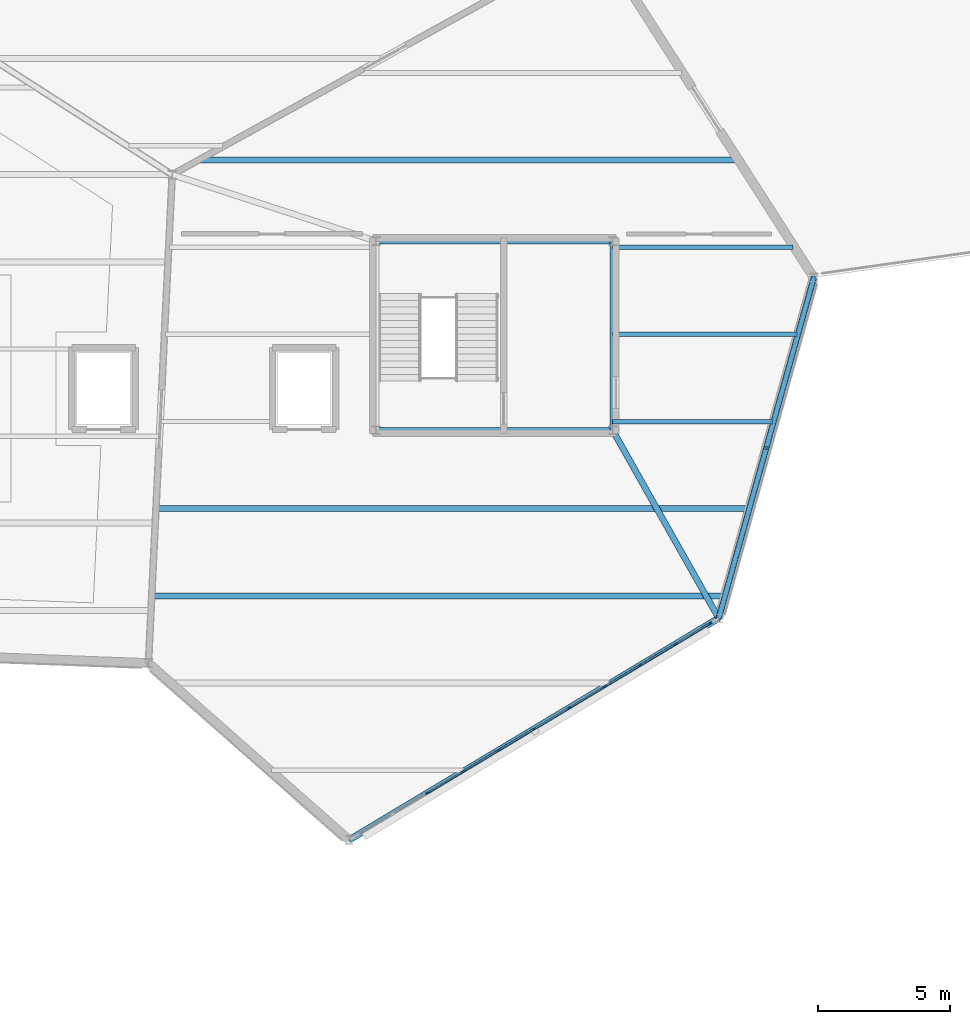
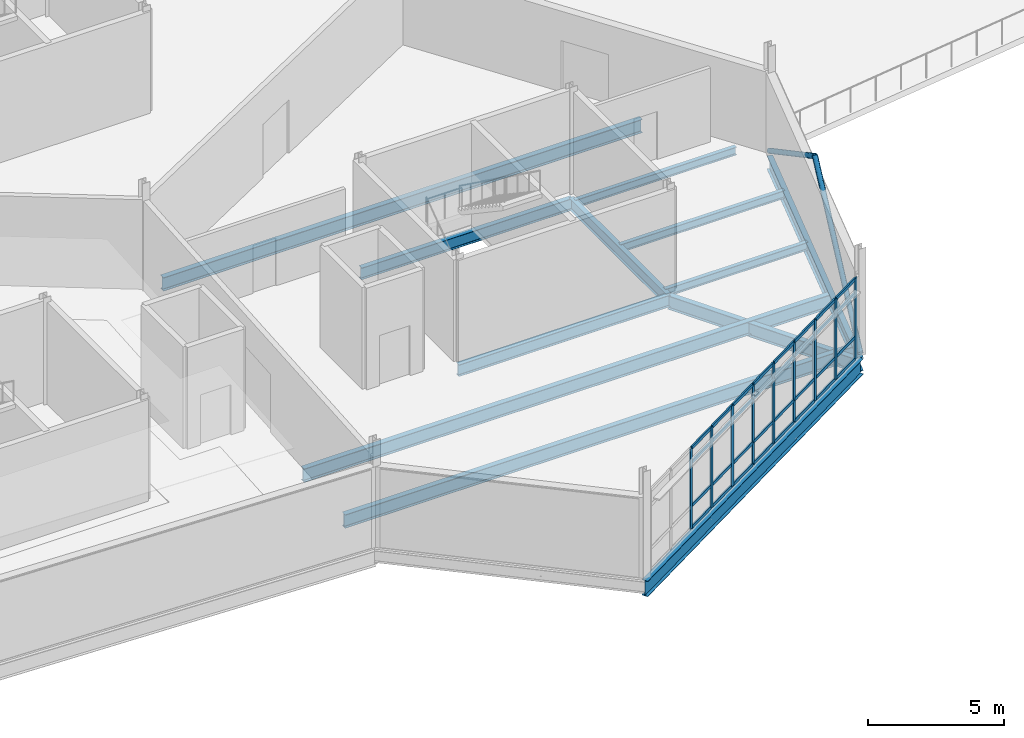
# One storey, part 42 of 76: 43 members, 12 beams, 1 element without a shape of its own.
"""IFC4 building model written with IfcOpenShell, lengths in metres."""

import ifcopenshell
import ifcopenshell.guid

model = None  # the IFC model being written
_history = None  # IfcOwnerHistory: only IFC2X3 demands one
_inside = {}  # id of a spatial element -> (the spatial element, [elements in it])
_under = {}  # id of a project, library or spatial element -> (it, [spatial elements below it])
_declared = {}  # id of a project -> (the project, [libraries it declares])
_typed = {}  # id of a type object -> (the type object, [elements of that type])
_made_of = {}  # id of a material, layer set ... -> (it, [elements and type objects made of it])


def new_model(schema):
    """Start an empty IFC model of exactly this schema.

    Asked for "IFC4X3", IfcOpenShell would pick the latest addendum, in which some entities
    have other attributes; the version numbers below select the first issue.
    IFC2X3 requires an IfcOwnerHistory on every rooted entity: one is made here for all.
    """
    global model, _history
    if schema == "IFC4X3":
        model = ifcopenshell.file(schema_version=(4, 3, 0, 0))
    else:
        model = ifcopenshell.file(schema=schema)
    _inside.clear()
    _under.clear()
    _declared.clear()
    _typed.clear()
    _made_of.clear()
    _history = None
    if model.schema == "IFC2X3":
        org = make("IfcOrganization", Name="unknown")
        user = make(
            "IfcPersonAndOrganization",
            ThePerson=make("IfcPerson", FamilyName="unknown"),
            TheOrganization=org,
        )
        app = make(
            "IfcApplication",
            ApplicationDeveloper=org,
            Version="unknown",
            ApplicationFullName="unknown",
            ApplicationIdentifier="unknown",
        )
        _history = make(
            "IfcOwnerHistory",
            OwningUser=user,
            OwningApplication=app,
            ChangeAction="ADDED",
            CreationDate=0,
        )
    return model


def make(cls, **values):
    """One entity of the class cls with the attributes given. An attribute that is None is left unset."""
    return model.create_entity(
        cls, **{name: value for name, value in values.items() if value is not None}
    )


def rooted(cls, **values):
    """An entity with a GlobalId (a new one), such as an element, a storey or a relation."""
    return make(cls, GlobalId=ifcopenshell.guid.new(), OwnerHistory=_history, **values)


def si_unit(unit_type, name, prefix=None):
    """IfcSIUnit, for example si_unit("LENGTHUNIT", "METRE", prefix="MILLI")."""
    return make("IfcSIUnit", UnitType=unit_type, Prefix=prefix, Name=name)


def assignment(units):
    """IfcUnitAssignment: the units of a project."""
    return None if units is None else make("IfcUnitAssignment", Units=units)


def point(xyz):
    """IfcCartesianPoint."""
    return None if xyz is None else make("IfcCartesianPoint", Coordinates=xyz)


def direction(xyz):
    """IfcDirection."""
    return None if xyz is None else make("IfcDirection", DirectionRatios=xyz)


def frame(location, z_axis=None, x_axis=None):
    """IfcAxis2Placement3D, a coordinate frame: its origin and axes. An axis left out is left unset."""
    return make(
        "IfcAxis2Placement3D",
        Location=point(location),
        Axis=direction(z_axis),
        RefDirection=direction(x_axis),
    )


def frame_2d(location, x_axis=None):
    """IfcAxis2Placement2D, a coordinate frame in the plane: its origin and x axis."""
    return make(
        "IfcAxis2Placement2D", Location=point(location), RefDirection=direction(x_axis)
    )


def origin():
    """The frame at (0, 0, 0) with its axes left unset."""
    return frame((0.0, 0.0, 0.0))


def origin_2d():
    """The frame at (0, 0) in the plane with its x axis left unset."""
    return frame_2d((0.0, 0.0))


def place(relative_to, where):
    """IfcLocalPlacement: puts the frame where relative to a parent placement (None: the world)."""
    return make(
        "IfcLocalPlacement", PlacementRelTo=relative_to, RelativePlacement=where
    )


def context(
    kind, dimensions, precision=None, world=None, true_north=None, identifier=None
):
    """IfcGeometricRepresentationContext, for example the 3D "Model" context."""
    return make(
        "IfcGeometricRepresentationContext",
        ContextIdentifier=identifier,
        ContextType=kind,
        CoordinateSpaceDimension=dimensions,
        Precision=precision,
        WorldCoordinateSystem=world,
        TrueNorth=true_north,
    )


def subcontext(parent, identifier, kind, view, scale=None):
    """IfcGeometricRepresentationSubContext, for example "Body" below "Model"."""
    return make(
        "IfcGeometricRepresentationSubContext",
        ContextIdentifier=identifier,
        ContextType=kind,
        ParentContext=parent,
        TargetScale=scale,
        TargetView=view,
    )


def project(units=None, contexts=None):
    """IfcProject with its units and contexts."""
    return rooted(
        "IfcProject",
        Name="project",
        RepresentationContexts=contexts,
        UnitsInContext=assignment(units),
    )


def spatial(cls, under=None, at=None, **own):
    """A site, building, storey or space (cls), placed at a placement, below another one or the project."""
    s = rooted(cls, ObjectPlacement=at, **own)
    if under is not None:
        _under.setdefault(under.id(), (under, []))[1].append(s)
    return s


def profile(cls, at=None, kind="AREA", **sizes):
    """A parametric profile (cls). Its sizes go by their IFC names, for example OverallWidth=200.0."""
    return make(cls, ProfileType=kind, Position=at, **sizes)


def rectangle(**sizes):
    """IfcRectangleProfileDef."""
    return profile("IfcRectangleProfileDef", **sizes)


def hollow_circle(**sizes):
    """IfcCircleHollowProfileDef."""
    return profile("IfcCircleHollowProfileDef", **sizes)


def i_section(**sizes):
    """IfcIShapeProfileDef."""
    return profile("IfcIShapeProfileDef", **sizes)


def extrude(swept, where, along, depth):
    """IfcExtrudedAreaSolid: the profile swept, set in the frame where, extruded along a direction by depth."""
    return make(
        "IfcExtrudedAreaSolid",
        SweptArea=swept,
        Position=where,
        ExtrudedDirection=direction(along),
        Depth=depth,
    )


def shape(context_of_items, identifier, shape_type, items):
    """IfcShapeRepresentation: the items that make up one representation, for example the "Body"."""
    return make(
        "IfcShapeRepresentation",
        ContextOfItems=context_of_items,
        RepresentationIdentifier=identifier,
        RepresentationType=shape_type,
        Items=items,
    )


def material(Name=None, Category=None):
    """IfcMaterial."""
    return make("IfcMaterial", Name=Name, Category=Category)


def material_profile(
    of_material, cross_section, Name=None, Category=None, Priority=None
):
    """IfcMaterialProfile: a cross section and its material."""
    return make(
        "IfcMaterialProfile",
        Name=Name,
        Material=of_material,
        Profile=cross_section,
        Priority=Priority,
        Category=Category,
    )


def profile_set(profiles, Name=None, composite=None):
    """IfcMaterialProfileSet."""
    return make(
        "IfcMaterialProfileSet",
        Name=Name,
        MaterialProfiles=profiles,
        CompositeProfile=composite,
    )


def made_of(thing, what):
    """Note that an element or type object is made of a material, layer set ...; save() writes the relation."""
    if what is not None:
        _made_of.setdefault(what.id(), (what, []))[1].append(thing)
    return thing


def type_object(cls, material=None, **own):
    """A type object (cls), such as IfcWallType, which elements share."""
    return made_of(rooted(cls, **own), material)


def element(
    cls,
    number,
    at=None,
    inside=None,
    cuts=None,
    type_object=None,
    material=None,
    context=None,
    identifier="Body",
    shape_type=None,
    held_by="IfcProductDefinitionShape",
    body=None,
    shapes=None,
    **own,
):
    """One element of the class cls, such as IfcWall. Its Tag is "e" and its number.

    at: its placement. inside: the storey or other place that contains it. cuts: it is an
    opening in that element (IfcRelVoidsElement). A single representation is given by context,
    identifier, shape_type and body (its items); several are given by shapes. held_by: the class
    of the entity that holds the representations. save() writes the other relations.
    """
    e = rooted(cls, Tag="e%d" % number, ObjectPlacement=at, **own)
    if body is not None:
        shapes = [shape(context, identifier, shape_type, body)]
    if shapes is not None:
        e.Representation = make(held_by, Representations=shapes)
    if inside is not None:
        _inside.setdefault(inside.id(), (inside, []))[1].append(e)
    if cuts is not None:
        rooted(
            "IfcRelVoidsElement", RelatingBuildingElement=cuts, RelatedOpeningElement=e
        )
    if type_object is not None:
        _typed.setdefault(type_object.id(), (type_object, []))[1].append(e)
    return made_of(e, material)


def aggregate(whole, parts):
    """IfcRelAggregates: a whole, such as a stair, and the parts it consists of."""
    return rooted("IfcRelAggregates", RelatingObject=whole, RelatedObjects=parts)


def save(model, path):
    """Write the relations noted so far, then the file.

    IfcRelAggregates (storeys below a building ...), IfcRelContainedInSpatialStructure (elements
    in a storey), IfcRelDefinesByType, IfcRelAssociatesMaterial and IfcRelDeclares: one each for
    every whole, place, type object, material and project.
    """
    for whole, parts in _under.values():
        aggregate(whole, parts)
    for where, things in _inside.values():
        rooted(
            "IfcRelContainedInSpatialStructure",
            RelatedElements=things,
            RelatingStructure=where,
        )
    for kind, things in _typed.values():
        rooted("IfcRelDefinesByType", RelatedObjects=things, RelatingType=kind)
    for what, things in _made_of.values():
        rooted("IfcRelAssociatesMaterial", RelatedObjects=things, RelatingMaterial=what)
    for by, libraries in _declared.values():
        rooted("IfcRelDeclares", RelatingContext=by, RelatedDefinitions=libraries)
    model.write(path)


model = new_model("IFC4")

# Units and contexts
model_context = context("Model", 3, precision=1e-05, world=origin(), true_north=direction((0.0, 1.0)))
body_context = subcontext(model_context, "Body", "Model", "MODEL_VIEW")
ifc_project = project(units=[si_unit("LENGTHUNIT", "METRE"), si_unit("AREAUNIT", "SQUARE_METRE"), si_unit("VOLUMEUNIT", "CUBIC_METRE"), si_unit("PLANEANGLEUNIT", "RADIAN"), si_unit("MASSUNIT", "GRAM", prefix="KILO")], contexts=[model_context])

# Site, building, storey
site_placement = place(None, origin())
site = spatial("IfcSite", under=ifc_project, at=site_placement, CompositionType="ELEMENT")
building_placement = place(site_placement, origin())
building = spatial("IfcBuilding", under=site, at=building_placement, Name="Tameran Prism Museum", CompositionType="ELEMENT")
storey_placement = place(building_placement, frame((0.0, 0.0, 15.0)))
storey = spatial("IfcBuildingStorey", under=building, at=storey_placement, Name="L03", CompositionType="ELEMENT", Elevation=15.0)

# Beams
ifc_material_1 = material(Name="Steel Grade 300PLUS (300 MPa)", Category="steel")
ifc_material_profile_1 = material_profile(ifc_material_1, i_section(OverallWidth=0.172119140625, OverallDepth=0.35888671875, WebThickness=0.008056640625, FlangeThickness=0.012939453125, FilletRadius=0.011474609375, at=origin_2d()))
ifc_profile_set_1 = profile_set([ifc_material_profile_1])
beam_type_1 = type_object("IfcBeamType", Name="BM-J360A", PredefinedType="JOIST", material=ifc_profile_set_1)
beam_1_placement = place(storey_placement, frame((135.47998046875, 79.75, -0.37939453125), z_axis=(1.0, 0.0, 0.0), x_axis=(0.0, 1.0, 0.0)))
element("IfcBeam", 1, at=beam_1_placement, inside=storey, type_object=beam_type_1, Name="Floor Beam BM-1065", PredefinedType="JOIST", context=body_context, shape_type="SweptSolid", body=[
    extrude(i_section(OverallWidth=0.172119140625, OverallDepth=0.35888671875, WebThickness=0.008056640625, FlangeThickness=0.012939453125, FilletRadius=0.011474609375, at=origin_2d()), origin(), (0.0, 0.0, 1.0), 6.05810546875),
])
beam_2_placement = place(storey_placement, frame((135.47998046875, 86.35009765625, -0.37939453125), z_axis=(1.0, 0.0, 0.0), x_axis=(0.0, 1.0, 0.0)))
element("IfcBeam", 2, at=beam_2_placement, inside=storey, type_object=beam_type_1, Name="Floor Beam BM-1069", PredefinedType="JOIST", context=body_context, shape_type="SweptSolid", body=[
    extrude(i_section(OverallWidth=0.172119140625, OverallDepth=0.35888671875, WebThickness=0.008056640625, FlangeThickness=0.012939453125, FilletRadius=0.011474609375, at=origin_2d()), origin(), (0.0, 0.0, 1.0), 6.8359375),
])
ifc_material_2 = material(Name="Steel Grade 300PLUS (300 MPa)", Category="steel")
ifc_material_profile_2 = material_profile(ifc_material_2, i_section(OverallWidth=0.1708984375, OverallDepth=0.35595703125, WebThickness=0.00732421875, FlangeThickness=0.011474609375, FilletRadius=0.011474609375, at=origin_2d()))
ifc_profile_set_2 = profile_set([ifc_material_profile_2])
beam_type_2 = type_object("IfcBeamType", Name="BM-J360B", PredefinedType="JOIST", material=ifc_profile_set_2)
beam_3_placement = place(storey_placement, frame((135.47998046875, 83.050048828125, -0.3779296875), z_axis=(1.0, 0.0, 0.0), x_axis=(0.0, 1.0, 0.0)))
element("IfcBeam", 3, at=beam_3_placement, inside=storey, type_object=beam_type_2, Name="Floor Beam BM-1067", PredefinedType="JOIST", context=body_context, shape_type="SweptSolid", body=[
    extrude(i_section(OverallWidth=0.1708984375, OverallDepth=0.35595703125, WebThickness=0.00732421875, FlangeThickness=0.011474609375, FilletRadius=0.011474609375, at=origin_2d()), origin(), (0.0, 0.0, 1.0), 6.97802734375),
])
ifc_material_3 = material(Name="Steel Grade 300PLUS (300 MPa)", Category="steel")
ifc_material_profile_3 = material_profile(ifc_material_3, i_section(OverallWidth=0.208984375, OverallDepth=0.528076171875, WebThickness=0.009521484375, FlangeThickness=0.01318359375, FilletRadius=0.013916015625, at=origin_2d()))
ifc_profile_set_3 = profile_set([ifc_material_profile_3])
beam_type_3 = type_object("IfcBeamType", Name="BM-SP530B", PredefinedType="SPANDREL", material=ifc_profile_set_3)
beam_4_placement = place(storey_placement, frame((126.52001953125, 79.419921875, -0.50390625), z_axis=(1.0, 0.0, 0.0), x_axis=(0.0, 1.0, 0.0)))
element("IfcBeam", 4, at=beam_4_placement, inside=storey, type_object=beam_type_3, Name="Core Ring Beam CTB-1018", PredefinedType="SPANDREL", context=body_context, shape_type="SweptSolid", body=[
    extrude(i_section(OverallWidth=0.208984375, OverallDepth=0.528076171875, WebThickness=0.009521484375, FlangeThickness=0.01318359375, FilletRadius=0.013916015625, at=origin_2d()), origin(), (0.0, 0.0, 1.0), 8.9599609375),
])
beam_5_placement = place(storey_placement, frame((135.47998046875, 79.419921875, -0.50390625), z_axis=(0.0, 1.0, 0.0), x_axis=(-1.0, 0.0, 0.0)))
element("IfcBeam", 5, at=beam_5_placement, inside=storey, type_object=beam_type_3, Name="Core Ring Beam CTB-1019", PredefinedType="SPANDREL", context=body_context, shape_type="SweptSolid", body=[
    extrude(i_section(OverallWidth=0.208984375, OverallDepth=0.528076171875, WebThickness=0.009521484375, FlangeThickness=0.01318359375, FilletRadius=0.013916015625, at=origin_2d()), origin(), (0.0, 0.0, 1.0), 7.16015625),
])
beam_6_placement = place(storey_placement, frame((135.47998046875, 86.580078125, -0.50390625), z_axis=(-1.0, 0.0, 0.0), x_axis=(0.0, -1.0, 0.0)))
element("IfcBeam", 6, at=beam_6_placement, inside=storey, type_object=beam_type_3, Name="Core Ring Beam CTB-1020", PredefinedType="SPANDREL", context=body_context, shape_type="SweptSolid", body=[
    extrude(i_section(OverallWidth=0.208984375, OverallDepth=0.528076171875, WebThickness=0.009521484375, FlangeThickness=0.01318359375, FilletRadius=0.013916015625, at=origin_2d()), origin(), (0.0, 0.0, 1.0), 8.9599609375),
])
ifc_material_4 = material(Name="Steel Grade 300PLUS (300 MPa)", Category="steel")
ifc_material_profile_4 = material_profile(ifc_material_4, i_section(OverallWidth=0.22802734375, OverallDepth=0.60205078125, WebThickness=0.010498046875, FlangeThickness=0.014892578125, FilletRadius=0.013916015625, at=origin_2d()))
ifc_profile_set_4 = profile_set([ifc_material_profile_4])
beam_type_4 = type_object("IfcBeamType", Name="BM-SP610", PredefinedType="SPANDREL", material=ifc_profile_set_4)
beam_7_placement = place(storey_placement, frame((139.5, 72.300048828125, -0.5009765625), z_axis=(0.268807620494, 0.96319388659, 0.0), x_axis=(-0.96319388659, 0.268807620494, 0.0)))
element("IfcBeam", 7, at=beam_7_placement, inside=storey, type_object=beam_type_4, Name="Perimeter Spandrel SP-0947", PredefinedType="SPANDREL", context=body_context, shape_type="SweptSolid", body=[
    extrude(i_section(OverallWidth=0.22802734375, OverallDepth=0.60205078125, WebThickness=0.010498046875, FlangeThickness=0.014892578125, FilletRadius=0.013916015625, at=origin_2d()), origin(), (0.0, 0.0, 1.0), 13.392822265625),
])
ifc_material_5 = material(Name="Steel Grade 350 (350 MPa)", Category="steel")
ifc_material_profile_5 = material_profile(ifc_material_5, i_section(OverallWidth=0.25, OverallDepth=0.699951171875, WebThickness=0.010009765625, FlangeThickness=0.02001953125, at=origin_2d()))
ifc_profile_set_5 = profile_set([ifc_material_profile_5])
beam_type_5 = type_object("IfcBeamType", Name="BM-SP700", PredefinedType="SPANDREL", material=ifc_profile_set_5)
beam_8_placement = place(storey_placement, frame((125.5, 63.89990234375, -0.550048828125), z_axis=(0.857488967429, 0.51450235251, 0.0), x_axis=(-0.51450235251, 0.857488967429, 0.0)))
element("IfcBeam", 8, at=beam_8_placement, inside=storey, type_object=beam_type_5, Name="Perimeter Spandrel SP-0946", PredefinedType="SPANDREL", context=body_context, shape_type="SweptSolid", body=[
    extrude(i_section(OverallWidth=0.25, OverallDepth=0.699951171875, WebThickness=0.010009765625, FlangeThickness=0.02001953125, at=origin_2d()), origin(), (0.0, 0.0, 1.0), 16.32666015625),
])
ifc_material_6 = material(Name="Steel Grade 300PLUS (300 MPa)", Category="steel")
ifc_material_profile_6 = material_profile(ifc_material_6, i_section(OverallWidth=0.22900390625, OverallDepth=0.612060546875, WebThickness=0.011962890625, FlangeThickness=0.01953125, FilletRadius=0.013916015625, at=origin_2d()))
ifc_profile_set_6 = profile_set([ifc_material_profile_6])
beam_type_6 = type_object("IfcBeamType", Name="BM-UB610A", PredefinedType="BEAM", material=ifc_profile_set_6)
beam_9_placement = place(storey_placement, frame((135.47998046875, 79.419921875, -0.56005859375), z_axis=(0.491662661717, -0.870785752682, 0.0), x_axis=(0.870785752682, 0.491662661717, 0.0)))
element("IfcBeam", 9, at=beam_9_placement, inside=storey, type_object=beam_type_6, Name="Frame Tie Girder FG-1390", PredefinedType="BEAM", context=body_context, shape_type="SweptSolid", body=[
    extrude(i_section(OverallWidth=0.22900390625, OverallDepth=0.612060546875, WebThickness=0.011962890625, FlangeThickness=0.01953125, FilletRadius=0.013916015625, at=origin_2d()), origin(), (0.0, 0.0, 1.0), 8.17626953125),
])
ifc_material_7 = material(Name="Steel Grade 300PLUS (300 MPa)", Category="steel")
ifc_material_profile_7 = material_profile(ifc_material_7, i_section(OverallWidth=0.22802734375, OverallDepth=0.60693359375, WebThickness=0.01123046875, FlangeThickness=0.017333984375, FilletRadius=0.013916015625, at=origin_2d()))
ifc_profile_set_7 = profile_set([ifc_material_profile_7])
beam_type_7 = type_object("IfcBeamType", Name="BM-UB610B", PredefinedType="BEAM", material=ifc_profile_set_7)
beam_10_placement = place(storey_placement, frame((118.06396484375, 73.14990234375, -0.50341796875), z_axis=(1.0, 0.0, 0.0), x_axis=(0.0, 1.0, 0.0)))
element("IfcBeam", 10, at=beam_10_placement, inside=storey, type_object=beam_type_7, Name="Floor Beam BM-1062", PredefinedType="BEAM", context=body_context, shape_type="SweptSolid", body=[
    extrude(i_section(OverallWidth=0.22802734375, OverallDepth=0.60693359375, WebThickness=0.01123046875, FlangeThickness=0.017333984375, FilletRadius=0.013916015625, at=origin_2d()), origin(), (0.0, 0.0, 1.0), 21.632080078125),
])
beam_11_placement = place(storey_placement, frame((118.22509765625, 76.449951171875, -0.50341796875), z_axis=(1.0, 0.0, 0.0), x_axis=(0.0, 1.0, 0.0)))
element("IfcBeam", 11, at=beam_11_placement, inside=storey, type_object=beam_type_7, Name="Floor Beam BM-1063", PredefinedType="BEAM", context=body_context, shape_type="SweptSolid", body=[
    extrude(i_section(OverallWidth=0.22802734375, OverallDepth=0.60693359375, WebThickness=0.01123046875, FlangeThickness=0.017333984375, FilletRadius=0.013916015625, at=origin_2d()), origin(), (0.0, 0.0, 1.0), 22.391845703125),
])
beam_12_placement = place(storey_placement, frame((119.8779296875, 89.64990234375, -0.50341796875), z_axis=(1.0, 0.0, 0.0), x_axis=(0.0, 1.0, 0.0)))
element("IfcBeam", 12, at=beam_12_placement, inside=storey, type_object=beam_type_7, Name="Floor Beam BM-1070", PredefinedType="BEAM", context=body_context, shape_type="SweptSolid", body=[
    extrude(i_section(OverallWidth=0.22802734375, OverallDepth=0.60693359375, WebThickness=0.01123046875, FlangeThickness=0.017333984375, FilletRadius=0.013916015625, at=origin_2d()), origin(), (0.0, 0.0, 1.0), 20.323974609375),
])

# Curtain wall, members
ifc_material_8 = material(Name="Anodised Aluminium 6063-T6 and Cyclone Solar Glass", Category="aluminium")
curtain_wall_type = type_object("IfcCurtainWallType", Name="CW-FAC-1563x362", PredefinedType="USERDEFINED", material=ifc_material_8)
curtain_wall_placement = place(storey_placement, origin())
curtain_wall = element("IfcCurtainWall", 13, at=curtain_wall_placement, inside=storey, type_object=curtain_wall_type, Name="Unitised Curtain Wall CW-131", ObjectType="UNITISED CURTAIN WALL", PredefinedType="USERDEFINED")
ifc_material_9 = material(Name="Anodised Aluminium Alloy 6063-T6", Category="aluminium")
ifc_material_profile_8 = material_profile(ifc_material_9, rectangle(XDim=0.06494140625, YDim=0.159912109375, at=origin_2d()))
ifc_profile_set_8 = profile_set([ifc_material_profile_8])
member_type_1 = type_object("IfcMemberType", Name="CW-MUL-A", PredefinedType="MULLION", material=ifc_profile_set_8)
member_1_placement = place(storey_placement, frame((139.172119140625, 72.103271484375, 0.0), z_axis=(0.0, 0.0, 1.0), x_axis=(0.514495755426, -0.857492925713, 0.0)))
member_1 = element("IfcMember", 14, at=member_1_placement, type_object=member_type_1, Name="CW-131 mullion 1", PredefinedType="MULLION", context=body_context, shape_type="SweptSolid", body=[
    extrude(rectangle(XDim=0.06494140625, YDim=0.159912109375, at=origin_2d()), origin(), (0.0, 0.0, 1.0), 3.6201171875),
])
member_2_placement = place(storey_placement, frame((137.860107421875, 71.31591796875, 0.0), z_axis=(0.0, 0.0, 1.0), x_axis=(0.514495755426, -0.857492925713, 0.0)))
member_2 = element("IfcMember", 15, at=member_2_placement, type_object=member_type_1, Name="CW-131 mullion 2", PredefinedType="MULLION", context=body_context, shape_type="SweptSolid", body=[
    extrude(rectangle(XDim=0.06494140625, YDim=0.159912109375, at=origin_2d()), origin(), (0.0, 0.0, 1.0), 3.6201171875),
])
member_3_placement = place(storey_placement, frame((136.52001953125, 70.511962890625, 0.0), z_axis=(0.0, 0.0, 1.0), x_axis=(0.514495755426, -0.857492925713, 0.0)))
member_3 = element("IfcMember", 16, at=member_3_placement, type_object=member_type_1, Name="CW-131 mullion 3", PredefinedType="MULLION", context=body_context, shape_type="SweptSolid", body=[
    extrude(rectangle(XDim=0.06494140625, YDim=0.159912109375, at=origin_2d()), origin(), (0.0, 0.0, 1.0), 3.6201171875),
])
member_4_placement = place(storey_placement, frame((135.179931640625, 69.7080078125, 0.0), z_axis=(0.0, 0.0, 1.0), x_axis=(0.514495755426, -0.857492925713, 0.0)))
member_4 = element("IfcMember", 17, at=member_4_placement, type_object=member_type_1, Name="CW-131 mullion 4", PredefinedType="MULLION", context=body_context, shape_type="SweptSolid", body=[
    extrude(rectangle(XDim=0.06494140625, YDim=0.159912109375, at=origin_2d()), origin(), (0.0, 0.0, 1.0), 3.6201171875),
])
member_5_placement = place(storey_placement, frame((133.840087890625, 68.904052734375, 0.0), z_axis=(0.0, 0.0, 1.0), x_axis=(0.514495755426, -0.857492925713, 0.0)))
member_5 = element("IfcMember", 18, at=member_5_placement, type_object=member_type_1, Name="CW-131 mullion 5", PredefinedType="MULLION", context=body_context, shape_type="SweptSolid", body=[
    extrude(rectangle(XDim=0.06494140625, YDim=0.159912109375, at=origin_2d()), origin(), (0.0, 0.0, 1.0), 3.6201171875),
])
member_6_placement = place(storey_placement, frame((132.5, 68.10009765625, 0.0), z_axis=(0.0, 0.0, 1.0), x_axis=(0.514495755426, -0.857492925713, 0.0)))
member_6 = element("IfcMember", 19, at=member_6_placement, type_object=member_type_1, Name="CW-131 mullion 6", PredefinedType="MULLION", context=body_context, shape_type="SweptSolid", body=[
    extrude(rectangle(XDim=0.06494140625, YDim=0.159912109375, at=origin_2d()), origin(), (0.0, 0.0, 1.0), 3.6201171875),
])
member_7_placement = place(storey_placement, frame((131.159912109375, 67.2958984375, 0.0), z_axis=(0.0, 0.0, 1.0), x_axis=(0.514495755426, -0.857492925713, 0.0)))
member_7 = element("IfcMember", 20, at=member_7_placement, type_object=member_type_1, Name="CW-131 mullion 7", PredefinedType="MULLION", context=body_context, shape_type="SweptSolid", body=[
    extrude(rectangle(XDim=0.06494140625, YDim=0.159912109375, at=origin_2d()), origin(), (0.0, 0.0, 1.0), 3.6201171875),
])
member_8_placement = place(storey_placement, frame((129.820068359375, 66.491943359375, 0.0), z_axis=(0.0, 0.0, 1.0), x_axis=(0.514495755426, -0.857492925713, 0.0)))
member_8 = element("IfcMember", 21, at=member_8_placement, type_object=member_type_1, Name="CW-131 mullion 8", PredefinedType="MULLION", context=body_context, shape_type="SweptSolid", body=[
    extrude(rectangle(XDim=0.06494140625, YDim=0.159912109375, at=origin_2d()), origin(), (0.0, 0.0, 1.0), 3.6201171875),
])
member_9_placement = place(storey_placement, frame((128.47998046875, 65.68798828125, 0.0), z_axis=(0.0, 0.0, 1.0), x_axis=(0.514495755426, -0.857492925713, 0.0)))
member_9 = element("IfcMember", 22, at=member_9_placement, type_object=member_type_1, Name="CW-131 mullion 9", PredefinedType="MULLION", context=body_context, shape_type="SweptSolid", body=[
    extrude(rectangle(XDim=0.06494140625, YDim=0.159912109375, at=origin_2d()), origin(), (0.0, 0.0, 1.0), 3.6201171875),
])
ifc_material_10 = material(Name="Anodised Aluminium Alloy 6063-T6", Category="aluminium")
ifc_material_profile_9 = material_profile(ifc_material_10, rectangle(XDim=0.06494140625, YDim=0.139892578125, at=origin_2d()))
ifc_profile_set_9 = profile_set([ifc_material_profile_9])
member_type_2 = type_object("IfcMemberType", Name="CW-TRN-A", PredefinedType="USERDEFINED", material=ifc_profile_set_9)
member_10_placement = place(storey_placement, frame((139.144287109375, 72.086669921875, 0.032470703125), z_axis=(-0.857463519514, -0.514544762584, 0.0), x_axis=(0.514544762584, -0.857463519514, 0.0)))
member_10 = element("IfcMember", 23, at=member_10_placement, type_object=member_type_2, Name="CW-131 transom 1.1", ObjectType="TRANSOM", PredefinedType="USERDEFINED", context=body_context, shape_type="SweptSolid", body=[
    extrude(rectangle(XDim=0.06494140625, YDim=0.139892578125, at=origin_2d()), origin(), (0.0, 0.0, 1.0), 1.465087890625),
])
member_11_placement = place(storey_placement, frame((139.144287109375, 72.086669921875, 1.0), z_axis=(-0.857463519514, -0.514544762584, 0.0), x_axis=(0.514544762584, -0.857463519514, 0.0)))
member_11 = element("IfcMember", 24, at=member_11_placement, type_object=member_type_2, Name="CW-131 transom 1.2", ObjectType="TRANSOM", PredefinedType="USERDEFINED", context=body_context, shape_type="SweptSolid", body=[
    extrude(rectangle(XDim=0.06494140625, YDim=0.139892578125, at=origin_2d()), origin(), (0.0, 0.0, 1.0), 1.465087890625),
])
member_12_placement = place(storey_placement, frame((139.144287109375, 72.086669921875, 2.93994140625), z_axis=(-0.857463519514, -0.514544762584, 0.0), x_axis=(0.514544762584, -0.857463519514, 0.0)))
member_12 = element("IfcMember", 25, at=member_12_placement, type_object=member_type_2, Name="CW-131 transom 1.3", ObjectType="TRANSOM", PredefinedType="USERDEFINED", context=body_context, shape_type="SweptSolid", body=[
    extrude(rectangle(XDim=0.06494140625, YDim=0.139892578125, at=origin_2d()), origin(), (0.0, 0.0, 1.0), 1.465087890625),
])
member_13_placement = place(storey_placement, frame((139.144287109375, 72.086669921875, 3.58740234375), z_axis=(-0.857463519514, -0.514544762584, 0.0), x_axis=(0.514544762584, -0.857463519514, 0.0)))
member_13 = element("IfcMember", 26, at=member_13_placement, type_object=member_type_2, Name="CW-131 transom 1.4", ObjectType="TRANSOM", PredefinedType="USERDEFINED", context=body_context, shape_type="SweptSolid", body=[
    extrude(rectangle(XDim=0.06494140625, YDim=0.139892578125, at=origin_2d()), origin(), (0.0, 0.0, 1.0), 1.465087890625),
])
member_14_placement = place(storey_placement, frame((137.83203125, 71.29931640625, 0.032470703125), z_axis=(-0.857492925713, -0.514495755428, 0.0), x_axis=(0.514495755428, -0.857492925713, 0.0)))
member_14 = element("IfcMember", 27, at=member_14_placement, type_object=member_type_2, Name="CW-131 transom 2.1", ObjectType="TRANSOM", PredefinedType="USERDEFINED", context=body_context, shape_type="SweptSolid", body=[
    extrude(rectangle(XDim=0.06494140625, YDim=0.139892578125, at=origin_2d()), origin(), (0.0, 0.0, 1.0), 1.49755859375),
])
member_15_placement = place(storey_placement, frame((137.83203125, 71.29931640625, 1.0), z_axis=(-0.857492925713, -0.514495755428, 0.0), x_axis=(0.514495755428, -0.857492925713, 0.0)))
member_15 = element("IfcMember", 28, at=member_15_placement, type_object=member_type_2, Name="CW-131 transom 2.2", ObjectType="TRANSOM", PredefinedType="USERDEFINED", context=body_context, shape_type="SweptSolid", body=[
    extrude(rectangle(XDim=0.06494140625, YDim=0.139892578125, at=origin_2d()), origin(), (0.0, 0.0, 1.0), 1.49755859375),
])
member_16_placement = place(storey_placement, frame((137.83203125, 71.29931640625, 2.93994140625), z_axis=(-0.857492925713, -0.514495755428, 0.0), x_axis=(0.514495755428, -0.857492925713, 0.0)))
member_16 = element("IfcMember", 29, at=member_16_placement, type_object=member_type_2, Name="CW-131 transom 2.3", ObjectType="TRANSOM", PredefinedType="USERDEFINED", context=body_context, shape_type="SweptSolid", body=[
    extrude(rectangle(XDim=0.06494140625, YDim=0.139892578125, at=origin_2d()), origin(), (0.0, 0.0, 1.0), 1.49755859375),
])
member_17_placement = place(storey_placement, frame((137.83203125, 71.29931640625, 3.58740234375), z_axis=(-0.857492925713, -0.514495755428, 0.0), x_axis=(0.514495755428, -0.857492925713, 0.0)))
member_17 = element("IfcMember", 30, at=member_17_placement, type_object=member_type_2, Name="CW-131 transom 2.4", ObjectType="TRANSOM", PredefinedType="USERDEFINED", context=body_context, shape_type="SweptSolid", body=[
    extrude(rectangle(XDim=0.06494140625, YDim=0.139892578125, at=origin_2d()), origin(), (0.0, 0.0, 1.0), 1.49755859375),
])
member_18_placement = place(storey_placement, frame((136.4921875, 70.495361328125, 0.032470703125), z_axis=(-0.857464162311, -0.514543691393, 0.0), x_axis=(0.514543691393, -0.857464162311, 0.0)))
member_18 = element("IfcMember", 31, at=member_18_placement, type_object=member_type_2, Name="CW-131 transom 3.1", ObjectType="TRANSOM", PredefinedType="USERDEFINED", context=body_context, shape_type="SweptSolid", body=[
    extrude(rectangle(XDim=0.06494140625, YDim=0.139892578125, at=origin_2d()), origin(), (0.0, 0.0, 1.0), 1.498046875),
])
member_19_placement = place(storey_placement, frame((136.4921875, 70.495361328125, 1.0), z_axis=(-0.857464162311, -0.514543691393, 0.0), x_axis=(0.514543691393, -0.857464162311, 0.0)))
member_19 = element("IfcMember", 32, at=member_19_placement, type_object=member_type_2, Name="CW-131 transom 3.2", ObjectType="TRANSOM", PredefinedType="USERDEFINED", context=body_context, shape_type="SweptSolid", body=[
    extrude(rectangle(XDim=0.06494140625, YDim=0.139892578125, at=origin_2d()), origin(), (0.0, 0.0, 1.0), 1.498046875),
])
member_20_placement = place(storey_placement, frame((136.4921875, 70.495361328125, 2.93994140625), z_axis=(-0.857464162311, -0.514543691393, 0.0), x_axis=(0.514543691393, -0.857464162311, 0.0)))
member_20 = element("IfcMember", 33, at=member_20_placement, type_object=member_type_2, Name="CW-131 transom 3.3", ObjectType="TRANSOM", PredefinedType="USERDEFINED", context=body_context, shape_type="SweptSolid", body=[
    extrude(rectangle(XDim=0.06494140625, YDim=0.139892578125, at=origin_2d()), origin(), (0.0, 0.0, 1.0), 1.498046875),
])
member_21_placement = place(storey_placement, frame((136.4921875, 70.495361328125, 3.58740234375), z_axis=(-0.857464162311, -0.514543691393, 0.0), x_axis=(0.514543691393, -0.857464162311, 0.0)))
member_21 = element("IfcMember", 34, at=member_21_placement, type_object=member_type_2, Name="CW-131 transom 3.4", ObjectType="TRANSOM", PredefinedType="USERDEFINED", context=body_context, shape_type="SweptSolid", body=[
    extrude(rectangle(XDim=0.06494140625, YDim=0.139892578125, at=origin_2d()), origin(), (0.0, 0.0, 1.0), 1.498046875),
])
member_22_placement = place(storey_placement, frame((135.152099609375, 69.691162109375, 0.032470703125), z_axis=(-0.857492925713, -0.514495755428, 0.0), x_axis=(0.514495755428, -0.857492925713, 0.0)))
member_22 = element("IfcMember", 35, at=member_22_placement, type_object=member_type_2, Name="CW-131 transom 4.1", ObjectType="TRANSOM", PredefinedType="USERDEFINED", context=body_context, shape_type="SweptSolid", body=[
    extrude(rectangle(XDim=0.06494140625, YDim=0.139892578125, at=origin_2d()), origin(), (0.0, 0.0, 1.0), 1.49755859375),
])
member_23_placement = place(storey_placement, frame((135.152099609375, 69.691162109375, 1.0), z_axis=(-0.857492925713, -0.514495755428, 0.0), x_axis=(0.514495755428, -0.857492925713, 0.0)))
member_23 = element("IfcMember", 36, at=member_23_placement, type_object=member_type_2, Name="CW-131 transom 4.2", ObjectType="TRANSOM", PredefinedType="USERDEFINED", context=body_context, shape_type="SweptSolid", body=[
    extrude(rectangle(XDim=0.06494140625, YDim=0.139892578125, at=origin_2d()), origin(), (0.0, 0.0, 1.0), 1.49755859375),
])
member_24_placement = place(storey_placement, frame((135.152099609375, 69.691162109375, 2.93994140625), z_axis=(-0.857492925713, -0.514495755428, 0.0), x_axis=(0.514495755428, -0.857492925713, 0.0)))
member_24 = element("IfcMember", 37, at=member_24_placement, type_object=member_type_2, Name="CW-131 transom 4.3", ObjectType="TRANSOM", PredefinedType="USERDEFINED", context=body_context, shape_type="SweptSolid", body=[
    extrude(rectangle(XDim=0.06494140625, YDim=0.139892578125, at=origin_2d()), origin(), (0.0, 0.0, 1.0), 1.49755859375),
])
member_25_placement = place(storey_placement, frame((135.152099609375, 69.691162109375, 3.58740234375), z_axis=(-0.857492925713, -0.514495755428, 0.0), x_axis=(0.514495755428, -0.857492925713, 0.0)))
member_25 = element("IfcMember", 38, at=member_25_placement, type_object=member_type_2, Name="CW-131 transom 4.4", ObjectType="TRANSOM", PredefinedType="USERDEFINED", context=body_context, shape_type="SweptSolid", body=[
    extrude(rectangle(XDim=0.06494140625, YDim=0.139892578125, at=origin_2d()), origin(), (0.0, 0.0, 1.0), 1.49755859375),
])
member_26_placement = place(storey_placement, frame((133.81201171875, 68.88720703125, 0.032470703125), z_axis=(-0.857492925713, -0.514495755428, 0.0), x_axis=(0.514495755428, -0.857492925713, 0.0)))
member_26 = element("IfcMember", 39, at=member_26_placement, type_object=member_type_2, Name="CW-131 transom 5.1", ObjectType="TRANSOM", PredefinedType="USERDEFINED", context=body_context, shape_type="SweptSolid", body=[
    extrude(rectangle(XDim=0.06494140625, YDim=0.139892578125, at=origin_2d()), origin(), (0.0, 0.0, 1.0), 1.49755859375),
])
member_27_placement = place(storey_placement, frame((133.81201171875, 68.88720703125, 1.0), z_axis=(-0.857492925713, -0.514495755428, 0.0), x_axis=(0.514495755428, -0.857492925713, 0.0)))
member_27 = element("IfcMember", 40, at=member_27_placement, type_object=member_type_2, Name="CW-131 transom 5.2", ObjectType="TRANSOM", PredefinedType="USERDEFINED", context=body_context, shape_type="SweptSolid", body=[
    extrude(rectangle(XDim=0.06494140625, YDim=0.139892578125, at=origin_2d()), origin(), (0.0, 0.0, 1.0), 1.49755859375),
])
member_28_placement = place(storey_placement, frame((133.81201171875, 68.88720703125, 2.93994140625), z_axis=(-0.857492925713, -0.514495755428, 0.0), x_axis=(0.514495755428, -0.857492925713, 0.0)))
member_28 = element("IfcMember", 41, at=member_28_placement, type_object=member_type_2, Name="CW-131 transom 5.3", ObjectType="TRANSOM", PredefinedType="USERDEFINED", context=body_context, shape_type="SweptSolid", body=[
    extrude(rectangle(XDim=0.06494140625, YDim=0.139892578125, at=origin_2d()), origin(), (0.0, 0.0, 1.0), 1.49755859375),
])
member_29_placement = place(storey_placement, frame((133.81201171875, 68.88720703125, 3.58740234375), z_axis=(-0.857492925713, -0.514495755428, 0.0), x_axis=(0.514495755428, -0.857492925713, 0.0)))
member_29 = element("IfcMember", 42, at=member_29_placement, type_object=member_type_2, Name="CW-131 transom 5.4", ObjectType="TRANSOM", PredefinedType="USERDEFINED", context=body_context, shape_type="SweptSolid", body=[
    extrude(rectangle(XDim=0.06494140625, YDim=0.139892578125, at=origin_2d()), origin(), (0.0, 0.0, 1.0), 1.49755859375),
])
member_30_placement = place(storey_placement, frame((132.47216796875, 68.083251953125, 0.032470703125), z_axis=(-0.857492925713, -0.514495755428, 0.0), x_axis=(0.514495755428, -0.857492925713, 0.0)))
member_30 = element("IfcMember", 43, at=member_30_placement, type_object=member_type_2, Name="CW-131 transom 6.1", ObjectType="TRANSOM", PredefinedType="USERDEFINED", context=body_context, shape_type="SweptSolid", body=[
    extrude(rectangle(XDim=0.06494140625, YDim=0.139892578125, at=origin_2d()), origin(), (0.0, 0.0, 1.0), 1.49755859375),
])
member_31_placement = place(storey_placement, frame((132.47216796875, 68.083251953125, 1.0), z_axis=(-0.857492925713, -0.514495755428, 0.0), x_axis=(0.514495755428, -0.857492925713, 0.0)))
member_31 = element("IfcMember", 44, at=member_31_placement, type_object=member_type_2, Name="CW-131 transom 6.2", ObjectType="TRANSOM", PredefinedType="USERDEFINED", context=body_context, shape_type="SweptSolid", body=[
    extrude(rectangle(XDim=0.06494140625, YDim=0.139892578125, at=origin_2d()), origin(), (0.0, 0.0, 1.0), 1.49755859375),
])
member_32_placement = place(storey_placement, frame((132.47216796875, 68.083251953125, 2.93994140625), z_axis=(-0.857492925713, -0.514495755428, 0.0), x_axis=(0.514495755428, -0.857492925713, 0.0)))
member_32 = element("IfcMember", 45, at=member_32_placement, type_object=member_type_2, Name="CW-131 transom 6.3", ObjectType="TRANSOM", PredefinedType="USERDEFINED", context=body_context, shape_type="SweptSolid", body=[
    extrude(rectangle(XDim=0.06494140625, YDim=0.139892578125, at=origin_2d()), origin(), (0.0, 0.0, 1.0), 1.49755859375),
])
member_33_placement = place(storey_placement, frame((132.47216796875, 68.083251953125, 3.58740234375), z_axis=(-0.857492925713, -0.514495755428, 0.0), x_axis=(0.514495755428, -0.857492925713, 0.0)))
member_33 = element("IfcMember", 46, at=member_33_placement, type_object=member_type_2, Name="CW-131 transom 6.4", ObjectType="TRANSOM", PredefinedType="USERDEFINED", context=body_context, shape_type="SweptSolid", body=[
    extrude(rectangle(XDim=0.06494140625, YDim=0.139892578125, at=origin_2d()), origin(), (0.0, 0.0, 1.0), 1.49755859375),
])
member_34_placement = place(storey_placement, frame((131.132080078125, 67.279296875, 0.032470703125), z_axis=(-0.857492925713, -0.514495755428, 0.0), x_axis=(0.514495755428, -0.857492925713, 0.0)))
member_34 = element("IfcMember", 47, at=member_34_placement, type_object=member_type_2, Name="CW-131 transom 7.1", ObjectType="TRANSOM", PredefinedType="USERDEFINED", context=body_context, shape_type="SweptSolid", body=[
    extrude(rectangle(XDim=0.06494140625, YDim=0.139892578125, at=origin_2d()), origin(), (0.0, 0.0, 1.0), 1.49755859375),
])
member_35_placement = place(storey_placement, frame((131.132080078125, 67.279296875, 1.0), z_axis=(-0.857492925713, -0.514495755428, 0.0), x_axis=(0.514495755428, -0.857492925713, 0.0)))
member_35 = element("IfcMember", 48, at=member_35_placement, type_object=member_type_2, Name="CW-131 transom 7.2", ObjectType="TRANSOM", PredefinedType="USERDEFINED", context=body_context, shape_type="SweptSolid", body=[
    extrude(rectangle(XDim=0.06494140625, YDim=0.139892578125, at=origin_2d()), origin(), (0.0, 0.0, 1.0), 1.49755859375),
])
member_36_placement = place(storey_placement, frame((131.132080078125, 67.279296875, 2.93994140625), z_axis=(-0.857492925713, -0.514495755428, 0.0), x_axis=(0.514495755428, -0.857492925713, 0.0)))
member_36 = element("IfcMember", 49, at=member_36_placement, type_object=member_type_2, Name="CW-131 transom 7.3", ObjectType="TRANSOM", PredefinedType="USERDEFINED", context=body_context, shape_type="SweptSolid", body=[
    extrude(rectangle(XDim=0.06494140625, YDim=0.139892578125, at=origin_2d()), origin(), (0.0, 0.0, 1.0), 1.49755859375),
])
member_37_placement = place(storey_placement, frame((131.132080078125, 67.279296875, 3.58740234375), z_axis=(-0.857492925713, -0.514495755428, 0.0), x_axis=(0.514495755428, -0.857492925713, 0.0)))
member_37 = element("IfcMember", 50, at=member_37_placement, type_object=member_type_2, Name="CW-131 transom 7.4", ObjectType="TRANSOM", PredefinedType="USERDEFINED", context=body_context, shape_type="SweptSolid", body=[
    extrude(rectangle(XDim=0.06494140625, YDim=0.139892578125, at=origin_2d()), origin(), (0.0, 0.0, 1.0), 1.49755859375),
])
member_38_placement = place(storey_placement, frame((129.792236328125, 66.475341796875, 0.032470703125), z_axis=(-0.857536069407, -0.514423842435, 0.0), x_axis=(0.514423842435, -0.857536069407, 0.0)))
member_38 = element("IfcMember", 51, at=member_38_placement, type_object=member_type_2, Name="CW-131 transom 8.1", ObjectType="TRANSOM", PredefinedType="USERDEFINED", context=body_context, shape_type="SweptSolid", body=[
    extrude(rectangle(XDim=0.06494140625, YDim=0.139892578125, at=origin_2d()), origin(), (0.0, 0.0, 1.0), 1.497802734375),
])
member_39_placement = place(storey_placement, frame((129.792236328125, 66.475341796875, 1.0), z_axis=(-0.857536069407, -0.514423842435, 0.0), x_axis=(0.514423842435, -0.857536069407, 0.0)))
member_39 = element("IfcMember", 52, at=member_39_placement, type_object=member_type_2, Name="CW-131 transom 8.2", ObjectType="TRANSOM", PredefinedType="USERDEFINED", context=body_context, shape_type="SweptSolid", body=[
    extrude(rectangle(XDim=0.06494140625, YDim=0.139892578125, at=origin_2d()), origin(), (0.0, 0.0, 1.0), 1.497802734375),
])
member_40_placement = place(storey_placement, frame((129.792236328125, 66.475341796875, 2.93994140625), z_axis=(-0.857536069407, -0.514423842435, 0.0), x_axis=(0.514423842435, -0.857536069407, 0.0)))
member_40 = element("IfcMember", 53, at=member_40_placement, type_object=member_type_2, Name="CW-131 transom 8.3", ObjectType="TRANSOM", PredefinedType="USERDEFINED", context=body_context, shape_type="SweptSolid", body=[
    extrude(rectangle(XDim=0.06494140625, YDim=0.139892578125, at=origin_2d()), origin(), (0.0, 0.0, 1.0), 1.497802734375),
])
member_41_placement = place(storey_placement, frame((129.792236328125, 66.475341796875, 3.58740234375), z_axis=(-0.857536069407, -0.514423842435, 0.0), x_axis=(0.514423842435, -0.857536069407, 0.0)))
member_41 = element("IfcMember", 54, at=member_41_placement, type_object=member_type_2, Name="CW-131 transom 8.4", ObjectType="TRANSOM", PredefinedType="USERDEFINED", context=body_context, shape_type="SweptSolid", body=[
    extrude(rectangle(XDim=0.06494140625, YDim=0.139892578125, at=origin_2d()), origin(), (0.0, 0.0, 1.0), 1.497802734375),
])
aggregate(curtain_wall, [member_1, member_2, member_3, member_4, member_5, member_6, member_7, member_8, member_9, member_10, member_11, member_12, member_13, member_14, member_15, member_16, member_17, member_18, member_19, member_20, member_21, member_22, member_23, member_24, member_25, member_26, member_27, member_28, member_29, member_30, member_31, member_32, member_33, member_34, member_35, member_36, member_37, member_38, member_39, member_40, member_41])

# Members
ifc_material_11 = material(Name="Steel Grade C350L0 (350 MPa)", Category="steel")
ifc_material_profile_10 = material_profile(ifc_material_11, hollow_circle(Radius=0.109619140625, WallThickness=0.00830078125, at=origin_2d()))
ifc_profile_set_10 = profile_set([ifc_material_profile_10])
member_type_3 = type_object("IfcMemberType", Name="MM-BR-CHS219", PredefinedType="BRACE", material=ifc_profile_set_10)
for number, where, z_axis, x_axis, name in (
    (55, (139.5, 72.300048828125, 0.0), (0.226188795144, 0.810481727779, 0.540331377848), (-0.96319388659, 0.268807620494, 0.0), "Lateral Chevron Brace CBF-029"),
    (56, (143.10009765625, 85.199951171875, 0.0), (-0.226188795144, -0.810481727779, 0.540331377848), (0.96319388659, -0.268807620494, 0.0), "Lateral Chevron Brace CBF-030"),
):
    element("IfcMember", number, at=place(storey_placement, frame(where, z_axis=z_axis, x_axis=x_axis)), inside=storey, type_object=member_type_3, Name=name, PredefinedType="BRACE", context=body_context, shape_type="SweptSolid", body=[
        extrude(hollow_circle(Radius=0.109619140625, WallThickness=0.00830078125, at=origin_2d()), origin(), (0.0, 0.0, 1.0), 7.958251953125),
    ])

save(model, "model.ifc")
